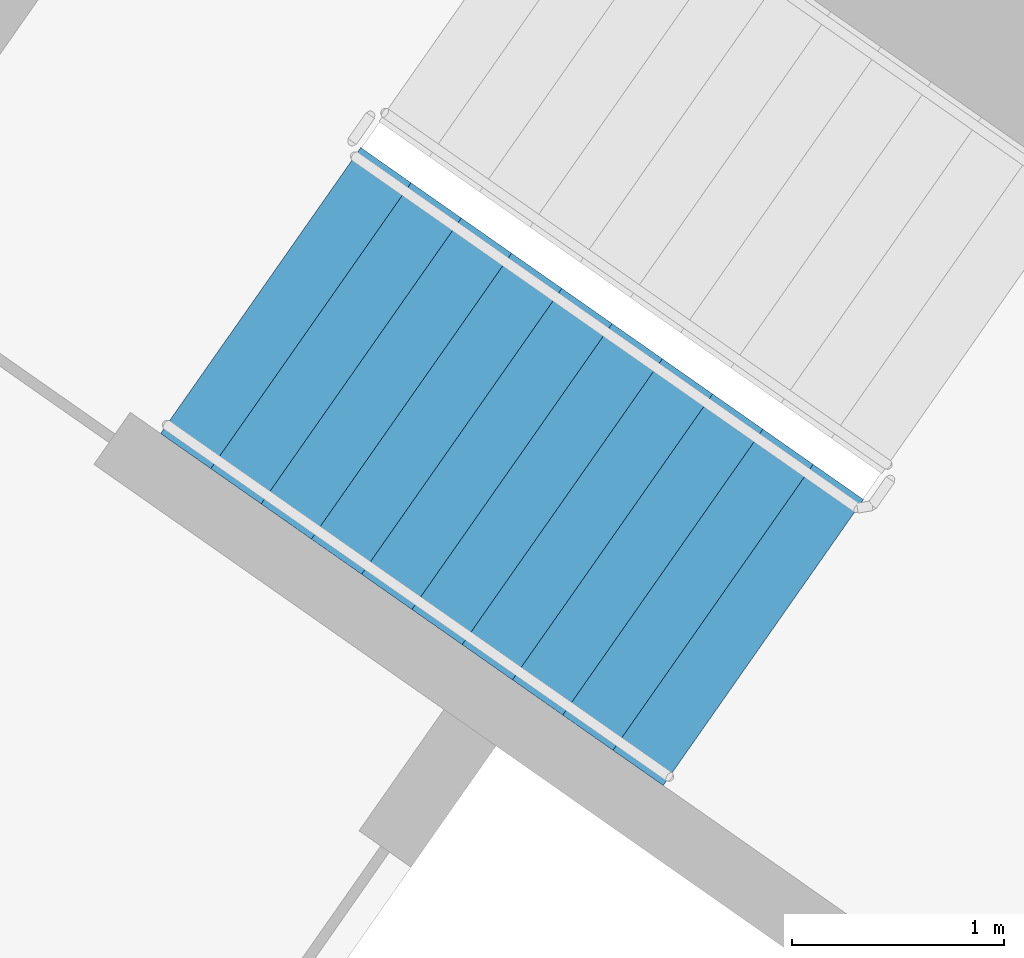
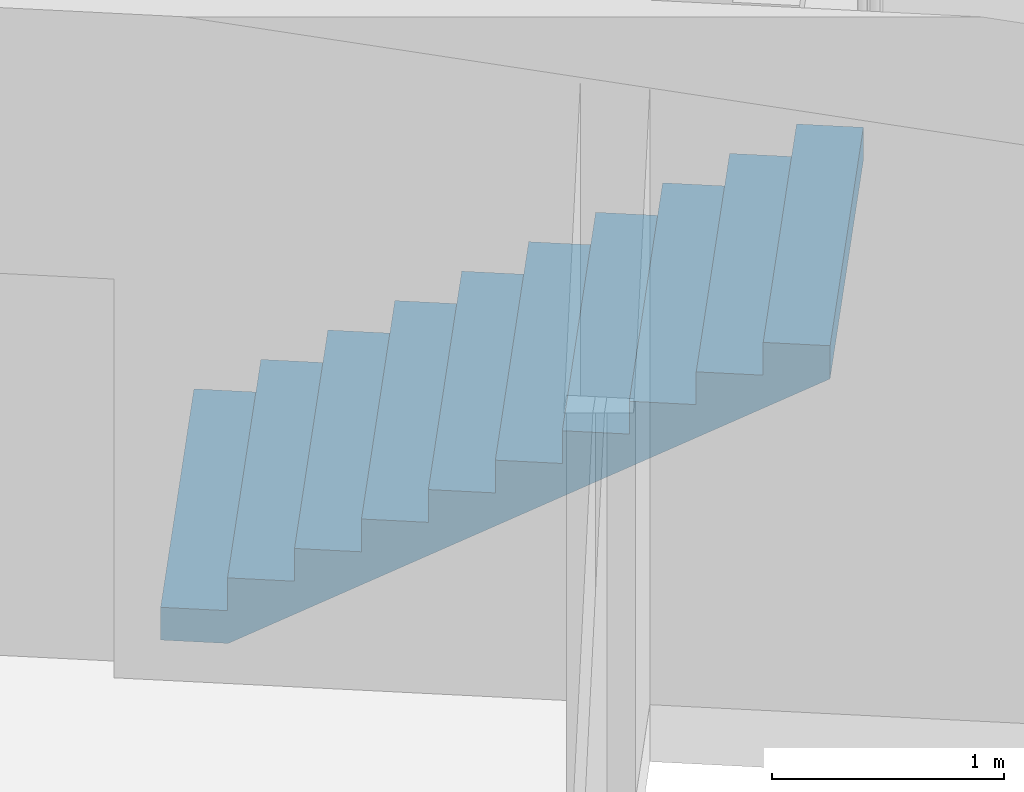
# One storey, part 11 of 27: 1 stair flight, 1 element without a shape of its own.
"""IFC4 building model written with IfcOpenShell, lengths in metres."""

from ifc_helpers import new_model, si_unit, direction, frame, origin, place, context, subcontext, project, spatial, faceted_brep, material, type_object, element, aggregate, save


model = new_model("IFC4")

# Units and contexts
model_context = context("Model", 3, precision=1e-05, world=origin(), true_north=direction((0.0, 1.0)))
body_context = subcontext(model_context, "Body", "Model", "MODEL_VIEW")
ifc_project = project(units=[si_unit("LENGTHUNIT", "METRE"), si_unit("AREAUNIT", "SQUARE_METRE"), si_unit("VOLUMEUNIT", "CUBIC_METRE"), si_unit("PLANEANGLEUNIT", "RADIAN"), si_unit("MASSUNIT", "GRAM", prefix="KILO")], contexts=[model_context])

# Site, building, storey
site_placement = place(None, origin())
site = spatial("IfcSite", under=ifc_project, at=site_placement, CompositionType="ELEMENT")
building_placement = place(site_placement, origin())
building = spatial("IfcBuilding", under=site, at=building_placement, Name="Qamariyya Broadcast Tower", CompositionType="ELEMENT")
storey_placement = place(building_placement, frame((0.0, 0.0, 172.10009765625)))
storey = spatial("IfcBuildingStorey", under=building, at=storey_placement, Name="L40", CompositionType="ELEMENT", Elevation=172.10009765625)

# Stair, stair flight
ifc_material = material(Name="Concrete C50/60", Category="concrete")
stair_type = type_object("IfcStairType", Name="Exit stair 22 risers of 173 mm", PredefinedType="HALF_TURN_STAIR", material=ifc_material)
stair_placement = place(storey_placement, origin())
stair = element("IfcStair", 1, at=stair_placement, inside=storey, type_object=stair_type, Name="L40 Stair W2", PredefinedType="HALF_TURN_STAIR")
stair_flight_type = type_object("IfcStairFlightType", Name="Exit stair flight 11 risers of 173 mm", PredefinedType="STRAIGHT", material=ifc_material)
stair_flight_placement = place(storey_placement, frame((-41.59130859375, -49.15966796875, 0.0), z_axis=(0.0, 0.0, 1.0), x_axis=(0.819152044289, -0.573576436351, 0.0)))
stair_flight = element("IfcStairFlight", 2, at=stair_flight_placement, type_object=stair_flight_type, Name="ST-W2 flight 1", NumberOfRisers=11, NumberOfTreads=10, PredefinedType="STRAIGHT", RiserHeight=0.172727273, TreadLength=0.29, context=body_context, shape_type="Brep", body=[
    faceted_brep([(0.0, 0.824951171875, 0.0), (0.0, 0.824951171875, 0.172607421875), (0.2900390625, 0.824951171875, 0.172607421875), (0.2900390625, 0.824951171875, 0.345458984375), (0.580078125, 0.824951171875, 0.345458984375), (0.580078125, 0.824951171875, 0.51806640625), (0.8701171875, 0.824951171875, 0.51806640625), (0.8701171875, 0.824951171875, 0.69091796875), (1.159912109375, 0.824951171875, 0.69091796875), (1.159912109375, 0.824951171875, 0.863525390625), (1.449951171875, 0.824951171875, 0.863525390625), (1.449951171875, 0.824951171875, 1.036376953125), (1.739990234375, 0.824951171875, 1.036376953125), (1.739990234375, 0.824951171875, 1.208984375), (2.030029296875, 0.824951171875, 1.208984375), (2.030029296875, 0.824951171875, 1.3818359375), (2.320068359375, 0.824951171875, 1.3818359375), (2.320068359375, 0.824951171875, 1.554443359375), (2.610107421875, 0.824951171875, 1.554443359375), (2.610107421875, 0.824951171875, 1.727294921875), (2.89990234375, 0.824951171875, 1.727294921875), (2.89990234375, 0.824951171875, 1.552734375), (0.29296875, 0.824951171875, 0.0), (0.29296875, -0.824951171875, 0.0), (2.89990234375, -0.824951171875, 1.552734375), (2.89990234375, -0.824951171875, 1.727294921875), (2.610107421875, -0.824951171875, 1.727294921875), (2.610107421875, -0.824951171875, 1.554443359375), (2.320068359375, -0.824951171875, 1.554443359375), (2.320068359375, -0.824951171875, 1.3818359375), (2.030029296875, -0.824951171875, 1.3818359375), (2.030029296875, -0.824951171875, 1.208984375), (1.739990234375, -0.824951171875, 1.208984375), (1.739990234375, -0.824951171875, 1.036376953125), (1.449951171875, -0.824951171875, 1.036376953125), (1.449951171875, -0.824951171875, 0.863525390625), (1.159912109375, -0.824951171875, 0.863525390625), (1.159912109375, -0.824951171875, 0.69091796875), (0.8701171875, -0.824951171875, 0.69091796875), (0.8701171875, -0.824951171875, 0.51806640625), (0.580078125, -0.824951171875, 0.51806640625), (0.580078125, -0.824951171875, 0.345458984375), (0.2900390625, -0.824951171875, 0.345458984375), (0.2900390625, -0.824951171875, 0.172607421875), (0.0, -0.824951171875, 0.172607421875), (0.0, -0.824951171875, 0.0), (0.0, 0.10009765625, 0.0), (0.0, 0.086669921875, 0.0), (0.0, 0.0732421875, 0.0), (0.0, 0.06005859375, 0.0), (0.0, 0.046630859375, 0.0), (0.0, 0.033447265625, 0.0), (0.0, 0.02001953125, 0.0), (0.0, 0.006591796875, 0.0), (0.0, -0.006591796875, 0.0), (0.0, -0.02001953125, 0.0), (0.0, -0.033447265625, 0.0), (0.0, -0.046630859375, 0.0), (0.0, -0.06005859375, 0.0), (0.0, -0.0732421875, 0.0), (0.0, -0.086669921875, 0.0), (0.0, -0.10009765625, 0.0), (0.0, -0.10009765625, 0.172607421875), (0.0, -0.086669921875, 0.172607421875), (0.0, -0.0732421875, 0.172607421875), (0.0, -0.06005859375, 0.172607421875), (0.0, -0.046630859375, 0.172607421875), (0.0, -0.033447265625, 0.172607421875), (0.0, -0.02001953125, 0.172607421875), (0.0, -0.006591796875, 0.172607421875), (0.0, 0.006591796875, 0.172607421875), (0.0, 0.02001953125, 0.172607421875), (0.0, 0.033447265625, 0.172607421875), (0.0, 0.046630859375, 0.172607421875), (0.0, 0.06005859375, 0.172607421875), (0.0, 0.0732421875, 0.172607421875), (0.0, 0.086669921875, 0.172607421875), (0.0, 0.10009765625, 0.172607421875), (0.2900390625, -0.10009765625, 0.172607421875), (0.2900390625, -0.086669921875, 0.172607421875), (0.2900390625, -0.0732421875, 0.172607421875), (0.2900390625, -0.06005859375, 0.172607421875), (0.2900390625, -0.046630859375, 0.172607421875), (0.2900390625, -0.033447265625, 0.172607421875), (0.2900390625, -0.02001953125, 0.172607421875), (0.2900390625, -0.006591796875, 0.172607421875), (0.2900390625, 0.006591796875, 0.172607421875), (0.2900390625, 0.02001953125, 0.172607421875), (0.2900390625, 0.033447265625, 0.172607421875), (0.2900390625, 0.046630859375, 0.172607421875), (0.2900390625, 0.06005859375, 0.172607421875), (0.2900390625, 0.0732421875, 0.172607421875), (0.2900390625, 0.086669921875, 0.172607421875), (0.2900390625, 0.10009765625, 0.172607421875), (0.2900390625, -0.10009765625, 0.345458984375), (0.2900390625, -0.086669921875, 0.345458984375), (0.2900390625, -0.0732421875, 0.345458984375), (0.2900390625, -0.06005859375, 0.345458984375), (0.2900390625, -0.046630859375, 0.345458984375), (0.2900390625, -0.033447265625, 0.345458984375), (0.2900390625, -0.02001953125, 0.345458984375), (0.2900390625, -0.006591796875, 0.345458984375), (0.2900390625, 0.006591796875, 0.345458984375), (0.2900390625, 0.02001953125, 0.345458984375), (0.2900390625, 0.033447265625, 0.345458984375), (0.2900390625, 0.046630859375, 0.345458984375), (0.2900390625, 0.06005859375, 0.345458984375), (0.2900390625, 0.0732421875, 0.345458984375), (0.2900390625, 0.086669921875, 0.345458984375), (0.2900390625, 0.10009765625, 0.345458984375), (0.580078125, -0.10009765625, 0.345458984375), (0.580078125, -0.086669921875, 0.345458984375), (0.580078125, -0.0732421875, 0.345458984375), (0.580078125, -0.06005859375, 0.345458984375), (0.580078125, -0.046630859375, 0.345458984375), (0.580078125, -0.033447265625, 0.345458984375), (0.580078125, -0.02001953125, 0.345458984375), (0.580078125, -0.006591796875, 0.345458984375), (0.580078125, 0.006591796875, 0.345458984375), (0.580078125, 0.02001953125, 0.345458984375), (0.580078125, 0.033447265625, 0.345458984375), (0.580078125, 0.046630859375, 0.345458984375), (0.580078125, 0.06005859375, 0.345458984375), (0.580078125, 0.0732421875, 0.345458984375), (0.580078125, 0.086669921875, 0.345458984375), (0.580078125, 0.10009765625, 0.345458984375), (0.580078125, -0.10009765625, 0.51806640625), (0.580078125, -0.086669921875, 0.51806640625), (0.580078125, -0.0732421875, 0.51806640625), (0.580078125, -0.06005859375, 0.51806640625), (0.580078125, -0.046630859375, 0.51806640625), (0.580078125, -0.033447265625, 0.51806640625), (0.580078125, -0.02001953125, 0.51806640625), (0.580078125, -0.006591796875, 0.51806640625), (0.580078125, 0.006591796875, 0.51806640625), (0.580078125, 0.02001953125, 0.51806640625), (0.580078125, 0.033447265625, 0.51806640625), (0.580078125, 0.046630859375, 0.51806640625), (0.580078125, 0.06005859375, 0.51806640625), (0.580078125, 0.0732421875, 0.51806640625), (0.580078125, 0.086669921875, 0.51806640625), (0.580078125, 0.10009765625, 0.51806640625), (0.8701171875, -0.10009765625, 0.51806640625), (0.8701171875, -0.086669921875, 0.51806640625), (0.8701171875, -0.0732421875, 0.51806640625), (0.8701171875, -0.06005859375, 0.51806640625), (0.8701171875, -0.046630859375, 0.51806640625), (0.8701171875, -0.033447265625, 0.51806640625), (0.8701171875, -0.02001953125, 0.51806640625), (0.8701171875, -0.006591796875, 0.51806640625), (0.8701171875, 0.006591796875, 0.51806640625), (0.8701171875, 0.02001953125, 0.51806640625), (0.8701171875, 0.033447265625, 0.51806640625), (0.8701171875, 0.046630859375, 0.51806640625), (0.8701171875, 0.06005859375, 0.51806640625), (0.8701171875, 0.0732421875, 0.51806640625), (0.8701171875, 0.086669921875, 0.51806640625), (0.8701171875, 0.10009765625, 0.51806640625), (0.8701171875, -0.10009765625, 0.69091796875), (0.8701171875, -0.086669921875, 0.69091796875), (0.8701171875, -0.0732421875, 0.69091796875), (0.8701171875, -0.06005859375, 0.69091796875), (0.8701171875, -0.046630859375, 0.69091796875), (0.8701171875, -0.033447265625, 0.69091796875), (0.8701171875, -0.02001953125, 0.69091796875), (0.8701171875, -0.006591796875, 0.69091796875), (0.8701171875, 0.006591796875, 0.69091796875), (0.8701171875, 0.02001953125, 0.69091796875), (0.8701171875, 0.033447265625, 0.69091796875), (0.8701171875, 0.046630859375, 0.69091796875), (0.8701171875, 0.06005859375, 0.69091796875), (0.8701171875, 0.0732421875, 0.69091796875), (0.8701171875, 0.086669921875, 0.69091796875), (0.8701171875, 0.10009765625, 0.69091796875), (1.159912109375, -0.10009765625, 0.69091796875), (1.159912109375, -0.086669921875, 0.69091796875), (1.159912109375, -0.0732421875, 0.69091796875), (1.159912109375, -0.06005859375, 0.69091796875), (1.159912109375, -0.046630859375, 0.69091796875), (1.159912109375, -0.033447265625, 0.69091796875), (1.159912109375, -0.02001953125, 0.69091796875), (1.159912109375, -0.006591796875, 0.69091796875), (1.159912109375, 0.006591796875, 0.69091796875), (1.159912109375, 0.02001953125, 0.69091796875), (1.159912109375, 0.033447265625, 0.69091796875), (1.159912109375, 0.046630859375, 0.69091796875), (1.159912109375, 0.06005859375, 0.69091796875), (1.159912109375, 0.0732421875, 0.69091796875), (1.159912109375, 0.086669921875, 0.69091796875), (1.159912109375, 0.10009765625, 0.69091796875), (1.159912109375, -0.10009765625, 0.863525390625), (1.159912109375, -0.086669921875, 0.863525390625), (1.159912109375, -0.0732421875, 0.863525390625), (1.159912109375, -0.06005859375, 0.863525390625), (1.159912109375, -0.046630859375, 0.863525390625), (1.159912109375, -0.033447265625, 0.863525390625), (1.159912109375, -0.02001953125, 0.863525390625), (1.159912109375, -0.006591796875, 0.863525390625), (1.159912109375, 0.006591796875, 0.863525390625), (1.159912109375, 0.02001953125, 0.863525390625), (1.159912109375, 0.033447265625, 0.863525390625), (1.159912109375, 0.046630859375, 0.863525390625), (1.159912109375, 0.06005859375, 0.863525390625), (1.159912109375, 0.0732421875, 0.863525390625), (1.159912109375, 0.086669921875, 0.863525390625), (1.159912109375, 0.10009765625, 0.863525390625), (1.449951171875, -0.10009765625, 0.863525390625), (1.449951171875, -0.086669921875, 0.863525390625), (1.449951171875, -0.0732421875, 0.863525390625), (1.449951171875, -0.06005859375, 0.863525390625), (1.449951171875, -0.046630859375, 0.863525390625), (1.449951171875, -0.033447265625, 0.863525390625), (1.449951171875, -0.02001953125, 0.863525390625), (1.449951171875, -0.006591796875, 0.863525390625), (1.449951171875, 0.006591796875, 0.863525390625), (1.449951171875, 0.02001953125, 0.863525390625), (1.449951171875, 0.033447265625, 0.863525390625), (1.449951171875, 0.046630859375, 0.863525390625), (1.449951171875, 0.06005859375, 0.863525390625), (1.449951171875, 0.0732421875, 0.863525390625), (1.449951171875, 0.086669921875, 0.863525390625), (1.449951171875, 0.10009765625, 0.863525390625), (1.449951171875, -0.10009765625, 1.036376953125), (1.449951171875, -0.086669921875, 1.036376953125), (1.449951171875, -0.0732421875, 1.036376953125), (1.449951171875, -0.06005859375, 1.036376953125), (1.449951171875, -0.046630859375, 1.036376953125), (1.449951171875, -0.033447265625, 1.036376953125), (1.449951171875, -0.02001953125, 1.036376953125), (1.449951171875, -0.006591796875, 1.036376953125), (1.449951171875, 0.006591796875, 1.036376953125), (1.449951171875, 0.02001953125, 1.036376953125), (1.449951171875, 0.033447265625, 1.036376953125), (1.449951171875, 0.046630859375, 1.036376953125), (1.449951171875, 0.06005859375, 1.036376953125), (1.449951171875, 0.0732421875, 1.036376953125), (1.449951171875, 0.086669921875, 1.036376953125), (1.449951171875, 0.10009765625, 1.036376953125), (1.739990234375, -0.10009765625, 1.036376953125), (1.739990234375, -0.086669921875, 1.036376953125), (1.739990234375, -0.0732421875, 1.036376953125), (1.739990234375, -0.06005859375, 1.036376953125), (1.739990234375, -0.046630859375, 1.036376953125), (1.739990234375, -0.033447265625, 1.036376953125), (1.739990234375, -0.02001953125, 1.036376953125), (1.739990234375, -0.006591796875, 1.036376953125), (1.739990234375, 0.006591796875, 1.036376953125), (1.739990234375, 0.02001953125, 1.036376953125), (1.739990234375, 0.033447265625, 1.036376953125), (1.739990234375, 0.046630859375, 1.036376953125), (1.739990234375, 0.06005859375, 1.036376953125), (1.739990234375, 0.0732421875, 1.036376953125), (1.739990234375, 0.086669921875, 1.036376953125), (1.739990234375, 0.10009765625, 1.036376953125), (1.739990234375, -0.10009765625, 1.208984375), (1.739990234375, -0.086669921875, 1.208984375), (1.739990234375, -0.0732421875, 1.208984375), (1.739990234375, -0.06005859375, 1.208984375), (1.739990234375, -0.046630859375, 1.208984375), (1.739990234375, -0.033447265625, 1.208984375), (1.739990234375, -0.02001953125, 1.208984375), (1.739990234375, -0.006591796875, 1.208984375), (1.739990234375, 0.006591796875, 1.208984375), (1.739990234375, 0.02001953125, 1.208984375), (1.739990234375, 0.033447265625, 1.208984375), (1.739990234375, 0.046630859375, 1.208984375), (1.739990234375, 0.06005859375, 1.208984375), (1.739990234375, 0.0732421875, 1.208984375), (1.739990234375, 0.086669921875, 1.208984375), (1.739990234375, 0.10009765625, 1.208984375), (2.030029296875, -0.10009765625, 1.208984375), (2.030029296875, -0.086669921875, 1.208984375), (2.030029296875, -0.0732421875, 1.208984375), (2.030029296875, -0.06005859375, 1.208984375), (2.030029296875, -0.046630859375, 1.208984375), (2.030029296875, -0.033447265625, 1.208984375), (2.030029296875, -0.02001953125, 1.208984375), (2.030029296875, -0.006591796875, 1.208984375), (2.030029296875, 0.006591796875, 1.208984375), (2.030029296875, 0.02001953125, 1.208984375), (2.030029296875, 0.033447265625, 1.208984375), (2.030029296875, 0.046630859375, 1.208984375), (2.030029296875, 0.06005859375, 1.208984375), (2.030029296875, 0.0732421875, 1.208984375), (2.030029296875, 0.086669921875, 1.208984375), (2.030029296875, 0.10009765625, 1.208984375), (2.030029296875, -0.10009765625, 1.3818359375), (2.030029296875, -0.086669921875, 1.3818359375), (2.030029296875, -0.0732421875, 1.3818359375), (2.030029296875, -0.06005859375, 1.3818359375), (2.030029296875, -0.046630859375, 1.3818359375), (2.030029296875, -0.033447265625, 1.3818359375), (2.030029296875, -0.02001953125, 1.3818359375), (2.030029296875, -0.006591796875, 1.3818359375), (2.030029296875, 0.006591796875, 1.3818359375), (2.030029296875, 0.02001953125, 1.3818359375), (2.030029296875, 0.033447265625, 1.3818359375), (2.030029296875, 0.046630859375, 1.3818359375), (2.030029296875, 0.06005859375, 1.3818359375), (2.030029296875, 0.0732421875, 1.3818359375), (2.030029296875, 0.086669921875, 1.3818359375), (2.030029296875, 0.10009765625, 1.3818359375), (2.320068359375, -0.10009765625, 1.3818359375), (2.320068359375, -0.086669921875, 1.3818359375), (2.320068359375, -0.0732421875, 1.3818359375), (2.320068359375, -0.06005859375, 1.3818359375), (2.320068359375, -0.046630859375, 1.3818359375), (2.320068359375, -0.033447265625, 1.3818359375), (2.320068359375, -0.02001953125, 1.3818359375), (2.320068359375, -0.006591796875, 1.3818359375), (2.320068359375, 0.006591796875, 1.3818359375), (2.320068359375, 0.02001953125, 1.3818359375), (2.320068359375, 0.033447265625, 1.3818359375), (2.320068359375, 0.046630859375, 1.3818359375), (2.320068359375, 0.06005859375, 1.3818359375), (2.320068359375, 0.0732421875, 1.3818359375), (2.320068359375, 0.086669921875, 1.3818359375), (2.320068359375, 0.10009765625, 1.3818359375), (2.320068359375, -0.10009765625, 1.554443359375), (2.320068359375, -0.086669921875, 1.554443359375), (2.320068359375, -0.0732421875, 1.554443359375), (2.320068359375, -0.06005859375, 1.554443359375), (2.320068359375, -0.046630859375, 1.554443359375), (2.320068359375, -0.033447265625, 1.554443359375), (2.320068359375, -0.02001953125, 1.554443359375), (2.320068359375, -0.006591796875, 1.554443359375), (2.320068359375, 0.006591796875, 1.554443359375), (2.320068359375, 0.02001953125, 1.554443359375), (2.320068359375, 0.033447265625, 1.554443359375), (2.320068359375, 0.046630859375, 1.554443359375), (2.320068359375, 0.06005859375, 1.554443359375), (2.320068359375, 0.0732421875, 1.554443359375), (2.320068359375, 0.086669921875, 1.554443359375), (2.320068359375, 0.10009765625, 1.554443359375), (2.610107421875, -0.10009765625, 1.554443359375), (2.610107421875, -0.086669921875, 1.554443359375), (2.610107421875, -0.0732421875, 1.554443359375), (2.610107421875, -0.06005859375, 1.554443359375), (2.610107421875, -0.046630859375, 1.554443359375), (2.610107421875, -0.033447265625, 1.554443359375), (2.610107421875, -0.02001953125, 1.554443359375), (2.610107421875, -0.006591796875, 1.554443359375), (2.610107421875, 0.006591796875, 1.554443359375), (2.610107421875, 0.02001953125, 1.554443359375), (2.610107421875, 0.033447265625, 1.554443359375), (2.610107421875, 0.046630859375, 1.554443359375), (2.610107421875, 0.06005859375, 1.554443359375), (2.610107421875, 0.0732421875, 1.554443359375), (2.610107421875, 0.086669921875, 1.554443359375), (2.610107421875, 0.10009765625, 1.554443359375), (2.610107421875, -0.10009765625, 1.727294921875), (2.610107421875, -0.086669921875, 1.727294921875), (2.610107421875, -0.0732421875, 1.727294921875), (2.610107421875, -0.06005859375, 1.727294921875), (2.610107421875, -0.046630859375, 1.727294921875), (2.610107421875, -0.033447265625, 1.727294921875), (2.610107421875, -0.02001953125, 1.727294921875), (2.610107421875, -0.006591796875, 1.727294921875), (2.610107421875, 0.006591796875, 1.727294921875), (2.610107421875, 0.02001953125, 1.727294921875), (2.610107421875, 0.033447265625, 1.727294921875), (2.610107421875, 0.046630859375, 1.727294921875), (2.610107421875, 0.06005859375, 1.727294921875), (2.610107421875, 0.0732421875, 1.727294921875), (2.610107421875, 0.086669921875, 1.727294921875), (2.610107421875, 0.10009765625, 1.727294921875), (2.89990234375, -0.10009765625, 1.727294921875), (2.89990234375, -0.086669921875, 1.727294921875), (2.89990234375, -0.0732421875, 1.727294921875), (2.89990234375, -0.06005859375, 1.727294921875), (2.89990234375, -0.046630859375, 1.727294921875), (2.89990234375, -0.033447265625, 1.727294921875), (2.89990234375, -0.02001953125, 1.727294921875), (2.89990234375, -0.006591796875, 1.727294921875), (2.89990234375, 0.006591796875, 1.727294921875), (2.89990234375, 0.02001953125, 1.727294921875), (2.89990234375, 0.033447265625, 1.727294921875), (2.89990234375, 0.046630859375, 1.727294921875), (2.89990234375, 0.06005859375, 1.727294921875), (2.89990234375, 0.0732421875, 1.727294921875), (2.89990234375, 0.086669921875, 1.727294921875), (2.89990234375, 0.10009765625, 1.727294921875), (2.89990234375, -0.10009765625, 1.552734375), (2.89990234375, -0.086669921875, 1.552734375), (2.89990234375, -0.0732421875, 1.552734375), (2.89990234375, -0.06005859375, 1.552734375), (2.89990234375, -0.046630859375, 1.552734375), (2.89990234375, -0.033447265625, 1.552734375), (2.89990234375, -0.02001953125, 1.552734375), (2.89990234375, -0.006591796875, 1.552734375), (2.89990234375, 0.006591796875, 1.552734375), (2.89990234375, 0.02001953125, 1.552734375), (2.89990234375, 0.033447265625, 1.552734375), (2.89990234375, 0.046630859375, 1.552734375), (2.89990234375, 0.06005859375, 1.552734375), (2.89990234375, 0.0732421875, 1.552734375), (2.89990234375, 0.086669921875, 1.552734375), (2.89990234375, 0.10009765625, 1.552734375), (0.29296875, -0.10009765625, 0.0), (0.29296875, -0.086669921875, 0.0), (0.29296875, -0.0732421875, 0.0), (0.29296875, -0.06005859375, 0.0), (0.29296875, -0.046630859375, 0.0), (0.29296875, -0.033447265625, 0.0), (0.29296875, -0.02001953125, 0.0), (0.29296875, -0.006591796875, 0.0), (0.29296875, 0.006591796875, 0.0), (0.29296875, 0.02001953125, 0.0), (0.29296875, 0.033447265625, 0.0), (0.29296875, 0.046630859375, 0.0), (0.29296875, 0.06005859375, 0.0), (0.29296875, 0.0732421875, 0.0), (0.29296875, 0.086669921875, 0.0), (0.29296875, 0.10009765625, 0.0)], [[[0, 1, 2, 3, 4, 5, 6, 7, 8, 9, 10, 11, 12, 13, 14, 15, 16, 17, 18, 19, 20, 21, 22]], [[23, 24, 25, 26, 27, 28, 29, 30, 31, 32, 33, 34, 35, 36, 37, 38, 39, 40, 41, 42, 43, 44, 45]], [[0, 46, 47, 48, 49, 50, 51, 52, 53, 54, 55, 56, 57, 58, 59, 60, 61, 45, 44, 62, 63, 64, 65, 66, 67, 68, 69, 70, 71, 72, 73, 74, 75, 76, 77, 1]], [[1, 77, 76, 75, 74, 73, 72, 71, 70, 69, 68, 67, 66, 65, 64, 63, 62, 44, 43, 78, 79, 80, 81, 82, 83, 84, 85, 86, 87, 88, 89, 90, 91, 92, 93, 2]], [[2, 93, 92, 91, 90, 89, 88, 87, 86, 85, 84, 83, 82, 81, 80, 79, 78, 43, 42, 94, 95, 96, 97, 98, 99, 100, 101, 102, 103, 104, 105, 106, 107, 108, 109, 3]], [[3, 109, 108, 107, 106, 105, 104, 103, 102, 101, 100, 99, 98, 97, 96, 95, 94, 42, 41, 110, 111, 112, 113, 114, 115, 116, 117, 118, 119, 120, 121, 122, 123, 124, 125, 4]], [[4, 125, 124, 123, 122, 121, 120, 119, 118, 117, 116, 115, 114, 113, 112, 111, 110, 41, 40, 126, 127, 128, 129, 130, 131, 132, 133, 134, 135, 136, 137, 138, 139, 140, 141, 5]], [[5, 141, 140, 139, 138, 137, 136, 135, 134, 133, 132, 131, 130, 129, 128, 127, 126, 40, 39, 142, 143, 144, 145, 146, 147, 148, 149, 150, 151, 152, 153, 154, 155, 156, 157, 6]], [[6, 157, 156, 155, 154, 153, 152, 151, 150, 149, 148, 147, 146, 145, 144, 143, 142, 39, 38, 158, 159, 160, 161, 162, 163, 164, 165, 166, 167, 168, 169, 170, 171, 172, 173, 7]], [[7, 173, 172, 171, 170, 169, 168, 167, 166, 165, 164, 163, 162, 161, 160, 159, 158, 38, 37, 174, 175, 176, 177, 178, 179, 180, 181, 182, 183, 184, 185, 186, 187, 188, 189, 8]], [[8, 189, 188, 187, 186, 185, 184, 183, 182, 181, 180, 179, 178, 177, 176, 175, 174, 37, 36, 190, 191, 192, 193, 194, 195, 196, 197, 198, 199, 200, 201, 202, 203, 204, 205, 9]], [[9, 205, 204, 203, 202, 201, 200, 199, 198, 197, 196, 195, 194, 193, 192, 191, 190, 36, 35, 206, 207, 208, 209, 210, 211, 212, 213, 214, 215, 216, 217, 218, 219, 220, 221, 10]], [[10, 221, 220, 219, 218, 217, 216, 215, 214, 213, 212, 211, 210, 209, 208, 207, 206, 35, 34, 222, 223, 224, 225, 226, 227, 228, 229, 230, 231, 232, 233, 234, 235, 236, 237, 11]], [[11, 237, 236, 235, 234, 233, 232, 231, 230, 229, 228, 227, 226, 225, 224, 223, 222, 34, 33, 238, 239, 240, 241, 242, 243, 244, 245, 246, 247, 248, 249, 250, 251, 252, 253, 12]], [[12, 253, 252, 251, 250, 249, 248, 247, 246, 245, 244, 243, 242, 241, 240, 239, 238, 33, 32, 254, 255, 256, 257, 258, 259, 260, 261, 262, 263, 264, 265, 266, 267, 268, 269, 13]], [[13, 269, 268, 267, 266, 265, 264, 263, 262, 261, 260, 259, 258, 257, 256, 255, 254, 32, 31, 270, 271, 272, 273, 274, 275, 276, 277, 278, 279, 280, 281, 282, 283, 284, 285, 14]], [[14, 285, 284, 283, 282, 281, 280, 279, 278, 277, 276, 275, 274, 273, 272, 271, 270, 31, 30, 286, 287, 288, 289, 290, 291, 292, 293, 294, 295, 296, 297, 298, 299, 300, 301, 15]], [[15, 301, 300, 299, 298, 297, 296, 295, 294, 293, 292, 291, 290, 289, 288, 287, 286, 30, 29, 302, 303, 304, 305, 306, 307, 308, 309, 310, 311, 312, 313, 314, 315, 316, 317, 16]], [[16, 317, 316, 315, 314, 313, 312, 311, 310, 309, 308, 307, 306, 305, 304, 303, 302, 29, 28, 318, 319, 320, 321, 322, 323, 324, 325, 326, 327, 328, 329, 330, 331, 332, 333, 17]], [[17, 333, 332, 331, 330, 329, 328, 327, 326, 325, 324, 323, 322, 321, 320, 319, 318, 28, 27, 334, 335, 336, 337, 338, 339, 340, 341, 342, 343, 344, 345, 346, 347, 348, 349, 18]], [[18, 349, 348, 347, 346, 345, 344, 343, 342, 341, 340, 339, 338, 337, 336, 335, 334, 27, 26, 350, 351, 352, 353, 354, 355, 356, 357, 358, 359, 360, 361, 362, 363, 364, 365, 19]], [[19, 365, 364, 363, 362, 361, 360, 359, 358, 357, 356, 355, 354, 353, 352, 351, 350, 26, 25, 366, 367, 368, 369, 370, 371, 372, 373, 374, 375, 376, 377, 378, 379, 380, 381, 20]], [[20, 381, 380, 379, 378, 377, 376, 375, 374, 373, 372, 371, 370, 369, 368, 367, 366, 25, 24, 382, 383, 384, 385, 386, 387, 388, 389, 390, 391, 392, 393, 394, 395, 396, 397, 21]], [[21, 397, 396, 395, 394, 393, 392, 391, 390, 389, 388, 387, 386, 385, 384, 383, 382, 24, 23, 398, 399, 400, 401, 402, 403, 404, 405, 406, 407, 408, 409, 410, 411, 412, 413, 22]], [[22, 413, 412, 411, 410, 409, 408, 407, 406, 405, 404, 403, 402, 401, 400, 399, 398, 23, 45, 61, 60, 59, 58, 57, 56, 55, 54, 53, 52, 51, 50, 49, 48, 47, 46, 0]]]),
])
aggregate(stair, [stair_flight])

save(model, "model.ifc")
